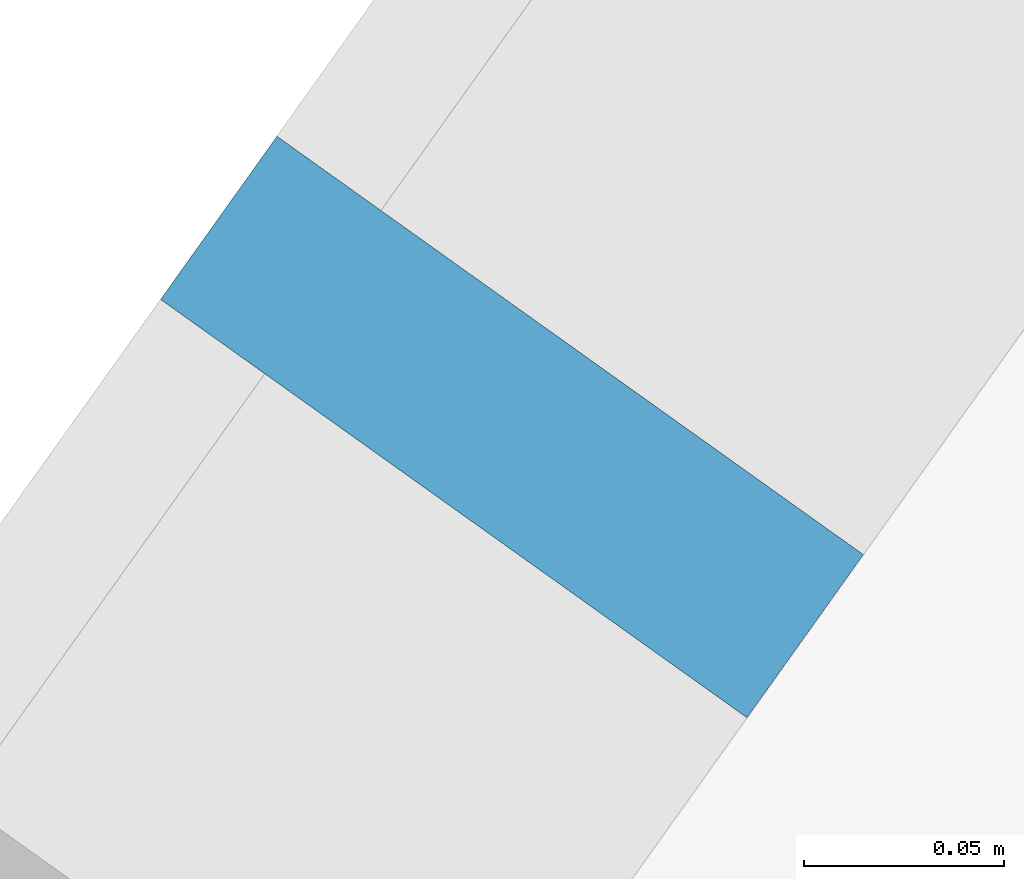
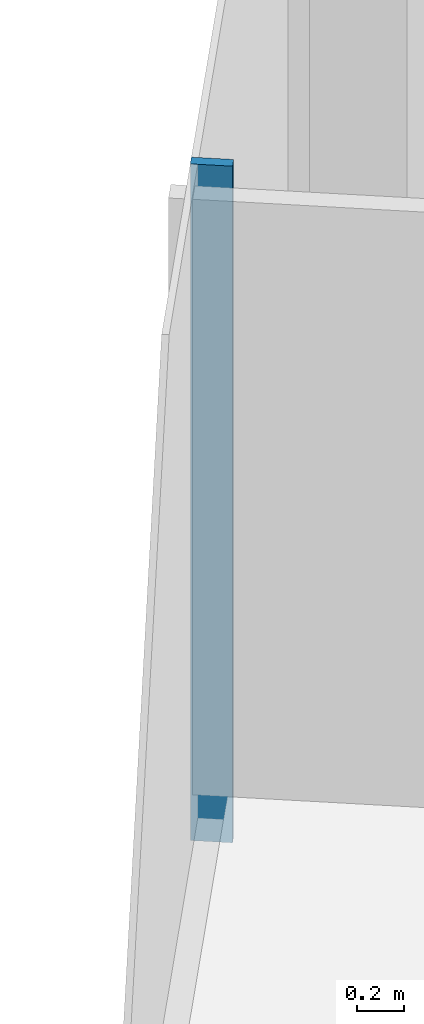
# One storey, part 4 of 31: 1 member, 1 element without a shape of its own.
"""IFC4 building model written with IfcOpenShell, lengths in metres."""

from ifc_helpers import new_model, si_unit, direction, frame, origin, origin_2d, place, context, subcontext, project, spatial, rectangle, extrude, material, material_profile, profile_set, type_object, element, aggregate, save


model = new_model("IFC4")

# Units and contexts
model_context = context("Model", 3, precision=1e-05, world=origin(), true_north=direction((0.0, 1.0)))
body_context = subcontext(model_context, "Body", "Model", "MODEL_VIEW")
ifc_project = project(units=[si_unit("LENGTHUNIT", "METRE"), si_unit("AREAUNIT", "SQUARE_METRE"), si_unit("VOLUMEUNIT", "CUBIC_METRE"), si_unit("PLANEANGLEUNIT", "RADIAN"), si_unit("MASSUNIT", "GRAM", prefix="KILO")], contexts=[model_context])

# Site, building, storey
site_placement = place(None, origin())
site = spatial("IfcSite", under=ifc_project, at=site_placement, CompositionType="ELEMENT")
building_placement = place(site_placement, origin())
building = spatial("IfcBuilding", under=site, at=building_placement, Name="Orlundy Tower", CompositionType="ELEMENT")
storey_placement = place(building_placement, frame((0.0, 0.0, 91.199951171875)))
storey = spatial("IfcBuildingStorey", under=building, at=storey_placement, Name="L22", CompositionType="ELEMENT", Elevation=91.199951171875)

# Curtain wall, member
ifc_material_1 = material(Name="Aluminium bronze anodised", Category="aluminium")
curtain_wall_type = type_object("IfcCurtainWallType", Name="CW1 wall", PredefinedType="NOTDEFINED", material=ifc_material_1)
curtain_wall_placement = place(storey_placement, origin())
curtain_wall = element("IfcCurtainWall", 1, at=curtain_wall_placement, inside=storey, type_object=curtain_wall_type, Name="CW1 run 00", PredefinedType="NOTDEFINED")
ifc_material_2 = material(Name="Aluminium bronze anodised", Category="aluminium")
ifc_material_profile = material_profile(ifc_material_2, rectangle(XDim=0.179931640625, YDim=0.050048828125, at=origin_2d()), Name="CW1 mullion 50x180")
ifc_profile_set = profile_set([ifc_material_profile], Name="Aluminium bronze anodised")
member_type = type_object("IfcMemberType", Name="CW1 mullion 50x180", PredefinedType="MULLION", material=ifc_profile_set)
member_placement = place(storey_placement, frame((-43.209716796875, -25.982177734375, -0.39990234375), z_axis=(0.0, 0.0, 1.0), x_axis=(-0.814116921316, 0.580700988829, 0.0)))
member = element("IfcMember", 2, at=member_placement, type_object=member_type, Name="CW1 mullion 2", PredefinedType="MULLION", context=body_context, shape_type="SweptSolid", body=[
    extrude(rectangle(XDim=0.179931640625, YDim=0.050048828125, at=origin_2d()), origin(), (0.0, 0.0, 1.0), 3.5),
])
aggregate(curtain_wall, [member])

save(model, "model.ifc")
